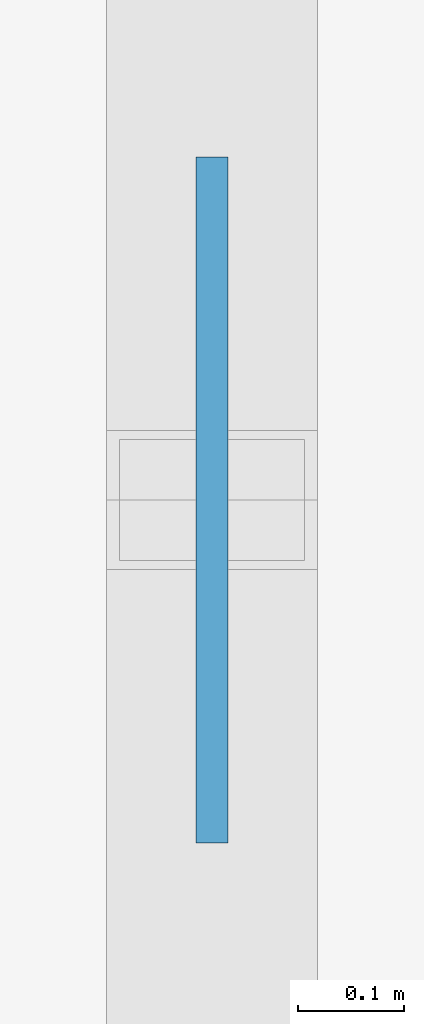
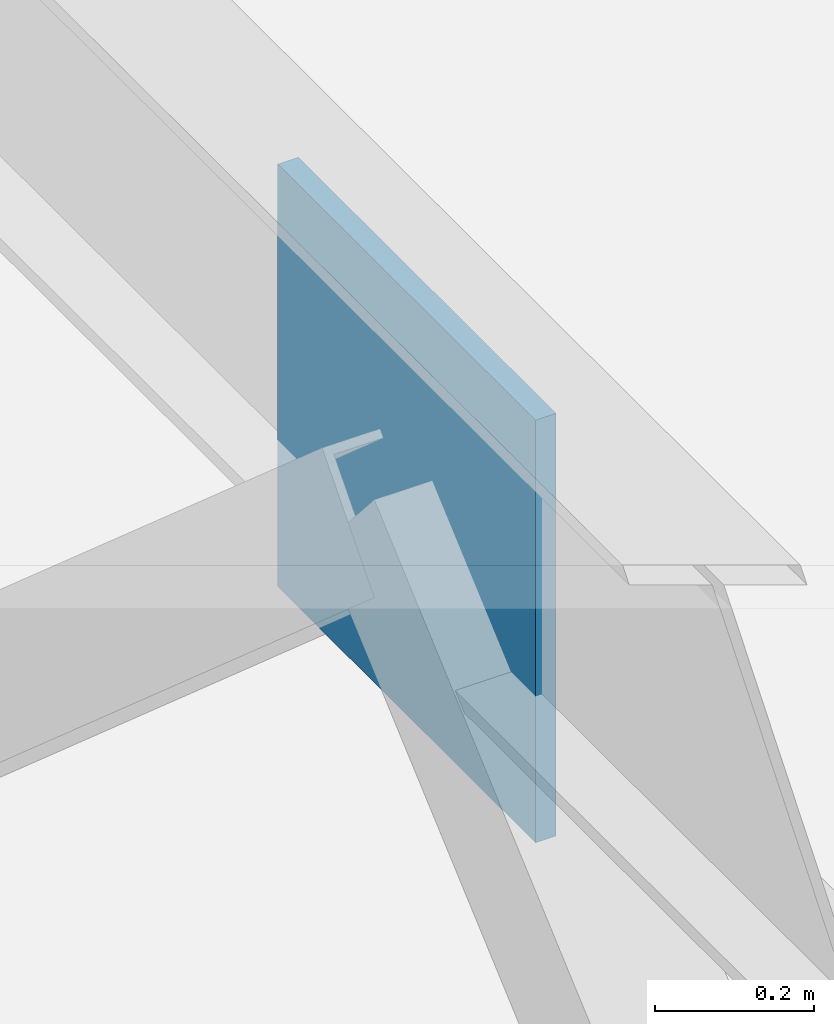
# One storey, part 41 of 50: 1 plate.
"""IFC4 building model written with IfcOpenShell, lengths in metres."""

from ifc_helpers import new_model, si_unit, direction, frame, origin, origin_2d, place, context, subcontext, project, spatial, rectangle, extrude, material, layer, layer_set, type_object, element, save


model = new_model("IFC4")

# Units and contexts
model_context = context("Model", 3, precision=1e-05, world=origin(), true_north=direction((0.0, 1.0)))
body_context = subcontext(model_context, "Body", "Model", "MODEL_VIEW")
ifc_project = project(units=[si_unit("LENGTHUNIT", "METRE"), si_unit("AREAUNIT", "SQUARE_METRE"), si_unit("VOLUMEUNIT", "CUBIC_METRE"), si_unit("PLANEANGLEUNIT", "RADIAN"), si_unit("MASSUNIT", "GRAM", prefix="KILO")], contexts=[model_context])

# Site, building, storey
site_placement = place(None, origin())
site = spatial("IfcSite", under=ifc_project, at=site_placement, CompositionType="ELEMENT")
building_placement = place(site_placement, origin())
building = spatial("IfcBuilding", under=site, at=building_placement, Name="Varnela Railside Interchange", CompositionType="ELEMENT")
storey_placement = place(building_placement, frame((0.0, 0.0, 15.39990234375)))
storey = spatial("IfcBuildingStorey", under=building, at=storey_placement, Name="L03", CompositionType="ELEMENT", Elevation=15.39990234375)

# Plate
ifc_material = material(Name="Steel AR 350 (350 MPa)", Category="steel")
ifc_layer = layer(ifc_material, 0.64990234375)
ifc_layer_set = layer_set([ifc_layer], Name="Steel AR 350 (350 MPa)")
plate_type = type_object("IfcPlateType", Name="Brace Gusset Plate GP-01", PredefinedType="SHEET", material=ifc_layer_set)
plate_placement = place(storey_placement, frame((124.0, 74.0, 3.3251953125), z_axis=(0.0, 0.0, 1.0), x_axis=(0.0, 1.0, 0.0)))
element("IfcPlate", 1, at=plate_placement, inside=storey, type_object=plate_type, Name="Brace Gusset Plate GP-01 (L03) (PL-029)", PredefinedType="SHEET", context=body_context, shape_type="SweptSolid", body=[
    extrude(rectangle(XDim=0.64990234375, YDim=0.030029296875, at=origin_2d()), origin(), (0.0, 0.0, 1.0), 0.64990234375),
])

save(model, "model.ifc")
